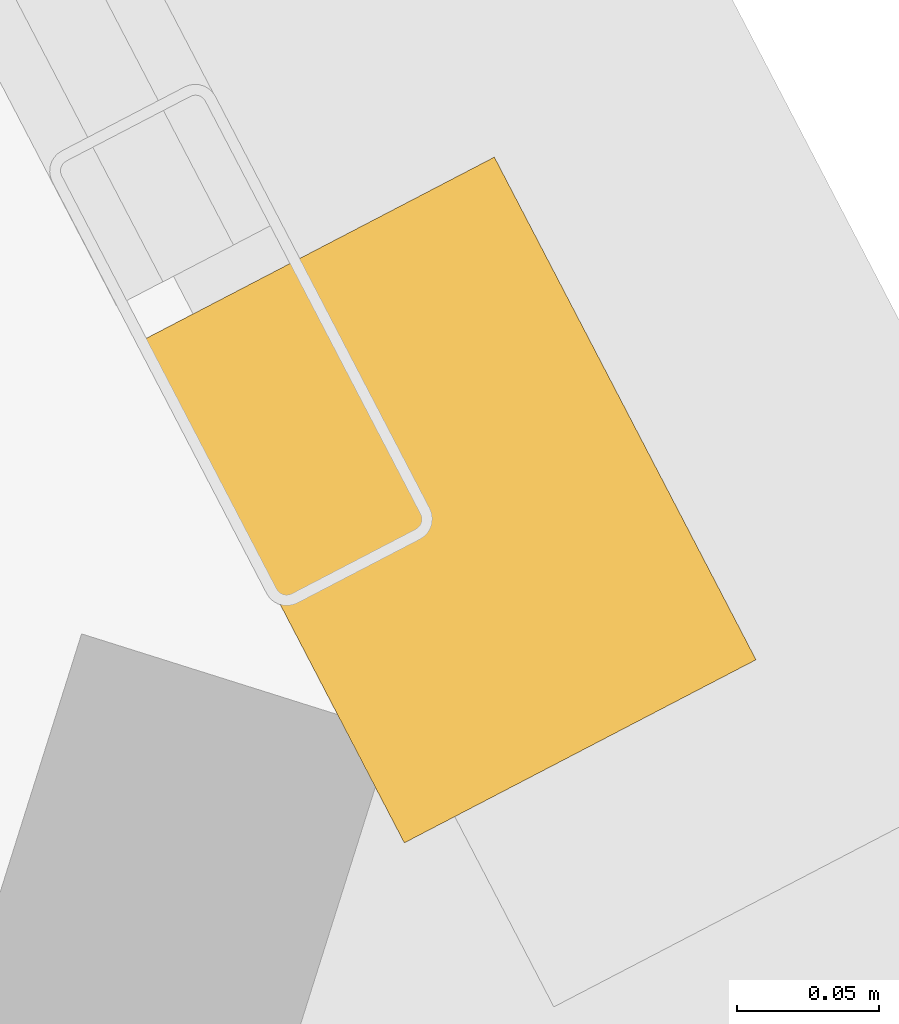
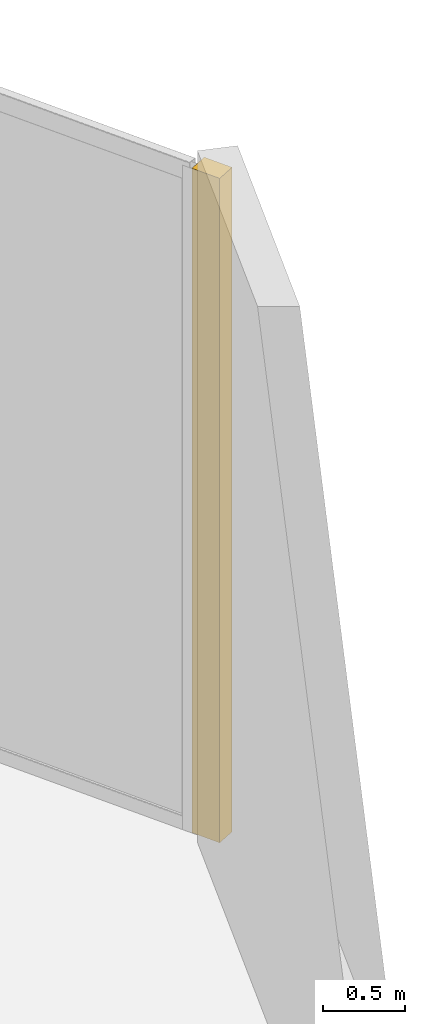
# One storey, part 29 of 29: 1 covering.
"""IFC4 building model written with IfcOpenShell, lengths in metres."""

from ifc_helpers import new_model, si_unit, direction, frame, origin, origin_2d, place, context, subcontext, project, spatial, rectangle, extrude, source, transform, mapped, material, layer, layer_set, type_object, element, save


model = new_model("IFC4")

# Units and contexts
model_context = context("Model", 3, precision=1e-05, world=origin(), true_north=direction((0.0, 1.0)))
body_context = subcontext(model_context, "Body", "Model", "MODEL_VIEW")
ifc_project = project(units=[si_unit("LENGTHUNIT", "METRE"), si_unit("AREAUNIT", "SQUARE_METRE"), si_unit("VOLUMEUNIT", "CUBIC_METRE"), si_unit("PLANEANGLEUNIT", "RADIAN"), si_unit("MASSUNIT", "GRAM", prefix="KILO")], contexts=[model_context])

# Site, building, storey
site_placement = place(None, origin())
site = spatial("IfcSite", under=ifc_project, at=site_placement, CompositionType="ELEMENT")
building_placement = place(site_placement, origin())
building = spatial("IfcBuilding", under=site, at=building_placement, Name="Torre Montelarca", CompositionType="ELEMENT")
storey_placement = place(building_placement, frame((0.0, 0.0, 122.199951171875)))
storey = spatial("IfcBuildingStorey", under=building, at=storey_placement, Name="L27", CompositionType="ELEMENT", Elevation=122.199951171875)

# Covering
ifc_material = material(Name="Bush-hammered warm white precast concrete C45/55", Category="concrete")
ifc_layer = layer(ifc_material, 0.139892578125, Name="Bush-hammered warm white precast concrete C45/55", Category="concrete")
ifc_layer_set = layer_set([ifc_layer], Name="Bush-hammered warm white precast concrete C45/55")
covering_type = type_object("IfcCoveringType", Name="COV-TRAY-CLAD", PredefinedType="CLADDING", material=ifc_layer_set)
shared_shape = source(origin(), body_context, "Body", "SweptSolid", [
    extrude(rectangle(XDim=0.199951171875, YDim=0.139892578125, at=origin_2d()), origin(), (0.0, 0.0, 1.0), 4.919921875),
])
covering_placement = place(storey_placement, frame((65.322509765625, 30.4697265625, 0.0), z_axis=(0.0, 0.0, 1.0), x_axis=(-0.461748613235, 0.887010833178, 0.0)))
element("IfcCovering", 1, at=covering_placement, inside=storey, type_object=covering_type, Name="L27 Architectural Column Pier Cladding E07-1", PredefinedType="CLADDING", context=body_context, shape_type="MappedRepresentation", body=[
    mapped(shared_shape, transform((0.0, 0.0, 0.0), scale=1.0)),
])

save(model, "model.ifc")
